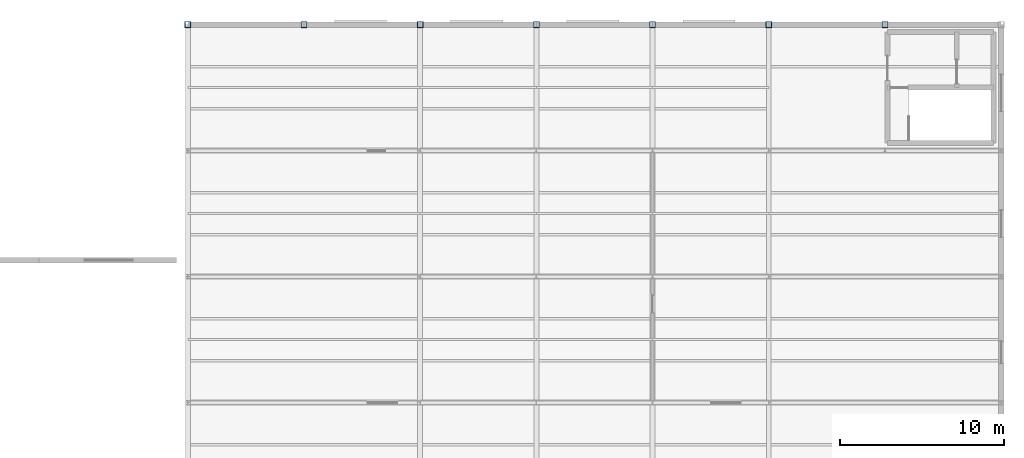
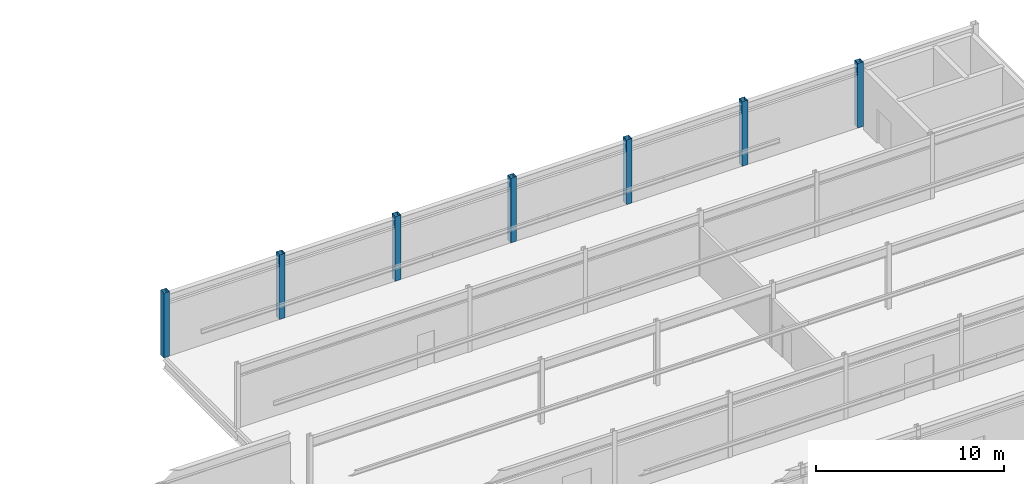
# One storey, part 13 of 39: 7 columns.
"""IFC4 building model written with IfcOpenShell, lengths in metres."""

from ifc_helpers import new_model, si_unit, direction, frame, origin, origin_2d, place, context, subcontext, project, spatial, hollow_rectangle, extrude, material, material_profile, profile_set, type_object, element, save


model = new_model("IFC4")

# Units and contexts
model_context = context("Model", 3, precision=1e-05, world=origin(), true_north=direction((0.0, 1.0)))
body_context = subcontext(model_context, "Body", "Model", "MODEL_VIEW")
ifc_project = project(units=[si_unit("LENGTHUNIT", "METRE"), si_unit("AREAUNIT", "SQUARE_METRE"), si_unit("VOLUMEUNIT", "CUBIC_METRE"), si_unit("PLANEANGLEUNIT", "RADIAN"), si_unit("MASSUNIT", "GRAM", prefix="KILO")], contexts=[model_context])

# Site, building, storey
site_placement = place(None, origin())
site = spatial("IfcSite", under=ifc_project, at=site_placement, CompositionType="ELEMENT")
building_placement = place(site_placement, origin())
building = spatial("IfcBuilding", under=site, at=building_placement, Name="Kazenagashi Tramway Depot", CompositionType="ELEMENT")
storey_placement = place(building_placement, frame((0.0, 0.0, 11.1)))
storey = spatial("IfcBuildingStorey", under=building, at=storey_placement, Name="L03", CompositionType="ELEMENT", Elevation=11.1)

# Columns
ifc_material = material(Name="Steel STKR490", Category="steel")
ifc_material_profile = material_profile(ifc_material, hollow_rectangle(XDim=0.35, YDim=0.35, WallThickness=0.012, at=origin_2d()), Name="SHS-350x350x12")
ifc_profile_set = profile_set([ifc_material_profile], Name="Steel STKR490")
column_type = type_object("IfcColumnType", Name="C-09", PredefinedType="COLUMN", material=ifc_profile_set)
for number, where, z_axis, x_axis, name in (
    (1, (146.3, 69.3, 0.0), (0.0, 0.0, 1.0), (1.0, 0.0, 0.0), "Column C-09 COL-0388"),
    (2, (153.4, 69.3, 0.0), (0.0, 0.0, 1.0), (1.0, 0.0, 0.0), "Column C-09 COL-0393"),
    (3, (160.5, 69.3, 0.0), (0.0, 0.0, 1.0), (1.0, 0.0, 0.0), "Column C-09 COL-0418"),
    (4, (167.6, 69.3, 0.0), (0.0, 0.0, 1.0), (1.0, 0.0, 0.0), "Column C-09 COL-0443"),
    (5, (174.7, 69.3, 0.0), (0.0, 0.0, 1.0), (1.0, 0.0, 0.0), "Column C-09 COL-0468"),
    (6, (181.8, 69.3, 0.0), (0.0, 0.0, 1.0), (1.0, 0.0, 0.0), "Column C-09 COL-0493"),
    (7, (188.9, 69.3, 0.0), (0.0, 0.0, 1.0), (1.0, 0.0, 0.0), "Column C-09 COL-0503"),
):
    element("IfcColumn", number, at=place(storey_placement, frame(where, z_axis=z_axis, x_axis=x_axis)), inside=storey, type_object=column_type, Name=name, PredefinedType="COLUMN", context=body_context, shape_type="SweptSolid", body=[
        extrude(hollow_rectangle(XDim=0.35, YDim=0.35, WallThickness=0.012, at=origin_2d()), origin(), (0.0, 0.0, 1.0), 4.2),
    ])

save(model, "model.ifc")
